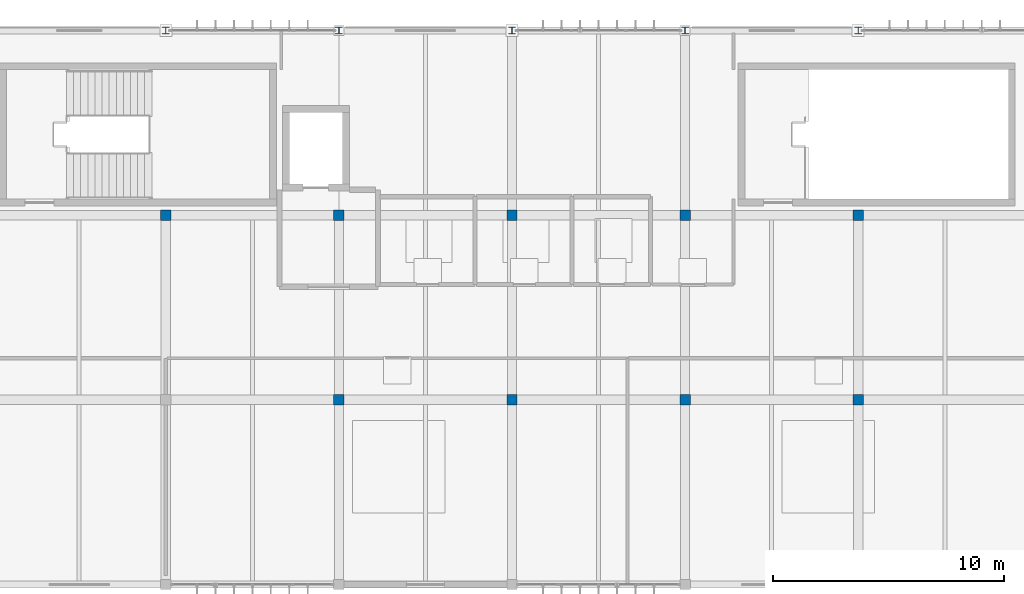
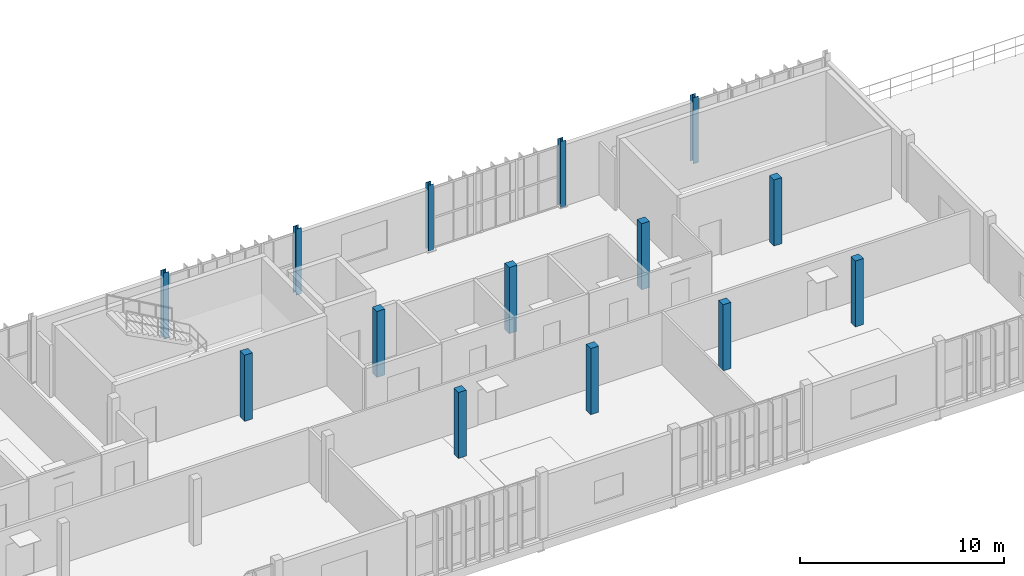
# One storey, part 3 of 26: 14 columns.
"""IFC4 building model written with IfcOpenShell, lengths in metres."""

from ifc_helpers import new_model, si_unit, direction, frame, origin, origin_2d, place, context, subcontext, project, spatial, rectangle, i_section, extrude, material, material_profile, profile_set, type_object, element, save


model = new_model("IFC4")

# Units and contexts
model_context = context("Model", 3, precision=1e-05, world=origin(), true_north=direction((0.0, 1.0)))
body_context = subcontext(model_context, "Body", "Model", "MODEL_VIEW")
ifc_project = project(units=[si_unit("LENGTHUNIT", "METRE"), si_unit("AREAUNIT", "SQUARE_METRE"), si_unit("VOLUMEUNIT", "CUBIC_METRE"), si_unit("PLANEANGLEUNIT", "RADIAN"), si_unit("MASSUNIT", "GRAM", prefix="KILO")], contexts=[model_context])

# Site, building, storey
site_placement = place(None, origin())
site = spatial("IfcSite", under=ifc_project, at=site_placement, CompositionType="ELEMENT")
building_placement = place(site_placement, origin())
building = spatial("IfcBuilding", under=site, at=building_placement, Name="Vourika Railside Aquatics Centre", CompositionType="ELEMENT")
storey_placement = place(building_placement, frame((0.0, 0.0, 17.699951171875)))
storey = spatial("IfcBuildingStorey", under=building, at=storey_placement, Name="L04", CompositionType="ELEMENT", Elevation=17.699951171875)

# Columns
ifc_material_1 = material(Name="Concrete C35/45", Category="concrete")
ifc_material_profile_1 = material_profile(ifc_material_1, rectangle(XDim=0.449951171875, YDim=0.449951171875, at=origin_2d()), Name="RC 450x450")
ifc_profile_set_1 = profile_set([ifc_material_profile_1], Name="Concrete C35/45")
column_type_1 = type_object("IfcColumnType", Name="COL-RC450", PredefinedType="COLUMN", material=ifc_profile_set_1)
for number, where, z_axis, x_axis, name in (
    (1, (51.0, 108.0, 0.0), (0.0, 0.0, 1.0), (1.0, 0.0, 0.0), "Column col:L04:510_1080"),
    (2, (58.5, 100.0, 0.0), (0.0, 0.0, 1.0), (1.0, 0.0, 0.0), "Column col:L04:585_1000"),
    (3, (58.5, 108.0, 0.0), (0.0, 0.0, 1.0), (1.0, 0.0, 0.0), "Column col:L04:585_1080"),
    (4, (66.0, 100.0, 0.0), (0.0, 0.0, 1.0), (1.0, 0.0, 0.0), "Column col:L04:660_1000"),
    (5, (66.0, 108.0, 0.0), (0.0, 0.0, 1.0), (1.0, 0.0, 0.0), "Column col:L04:660_1080"),
    (6, (73.5, 100.0, 0.0), (0.0, 0.0, 1.0), (1.0, 0.0, 0.0), "Column col:L04:735_1000"),
    (7, (73.5, 108.0, 0.0), (0.0, 0.0, 1.0), (1.0, 0.0, 0.0), "Column col:L04:735_1080"),
    (8, (81.0, 100.0, 0.0), (0.0, 0.0, 1.0), (1.0, 0.0, 0.0), "Column col:L04:810_1000"),
    (9, (81.0, 108.0, 0.0), (0.0, 0.0, 1.0), (1.0, 0.0, 0.0), "Column col:L04:810_1080"),
):
    element("IfcColumn", number, at=place(storey_placement, frame(where, z_axis=z_axis, x_axis=x_axis)), inside=storey, type_object=column_type_1, Name=name, PredefinedType="COLUMN", context=body_context, shape_type="SweptSolid", body=[
        extrude(rectangle(XDim=0.449951171875, YDim=0.449951171875, at=origin_2d()), origin(), (0.0, 0.0, 1.0), 3.9599609375),
    ])
ifc_material_2 = material(Name="Steel S355J2", Category="steel")
ifc_material_profile_2 = material_profile(ifc_material_2, i_section(OverallWidth=0.300048828125, OverallDepth=0.300048828125, WebThickness=0.010986328125, FlangeThickness=0.01904296875, at=origin_2d()), Name="HEB 300")
ifc_profile_set_2 = profile_set([ifc_material_profile_2], Name="Steel S355J2")
column_type_2 = type_object("IfcColumnType", Name="COL-STL-HEB300", PredefinedType="COLUMN", material=ifc_profile_set_2)
for number, where, z_axis, x_axis, name in (
    (10, (51.0, 116.0, 0.0), (0.0, 0.0, 1.0), (1.0, 0.0, 0.0), "Column col:L04:510_1160"),
    (11, (58.5, 116.0, 0.0), (0.0, 0.0, 1.0), (1.0, 0.0, 0.0), "Column col:L04:585_1160"),
    (12, (66.0, 116.0, 0.0), (0.0, 0.0, 1.0), (1.0, 0.0, 0.0), "Column col:L04:660_1160"),
    (13, (73.5, 116.0, 0.0), (0.0, 0.0, 1.0), (1.0, 0.0, 0.0), "Column col:L04:735_1160"),
    (14, (81.0, 116.0, 0.0), (0.0, 0.0, 1.0), (1.0, 0.0, 0.0), "Column col:L04:810_1160"),
):
    element("IfcColumn", number, at=place(storey_placement, frame(where, z_axis=z_axis, x_axis=x_axis)), inside=storey, type_object=column_type_2, Name=name, PredefinedType="COLUMN", context=body_context, shape_type="SweptSolid", body=[
        extrude(i_section(OverallWidth=0.300048828125, OverallDepth=0.300048828125, WebThickness=0.010986328125, FlangeThickness=0.01904296875, at=origin_2d()), origin(), (0.0, 0.0, 1.0), 3.9599609375),
    ])

save(model, "model.ifc")
